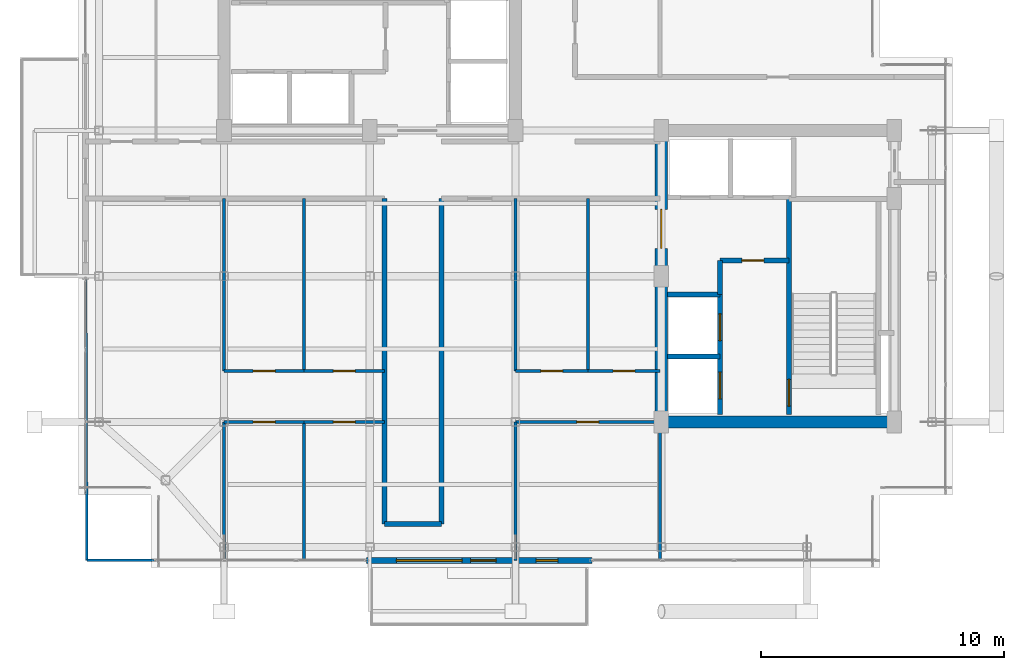
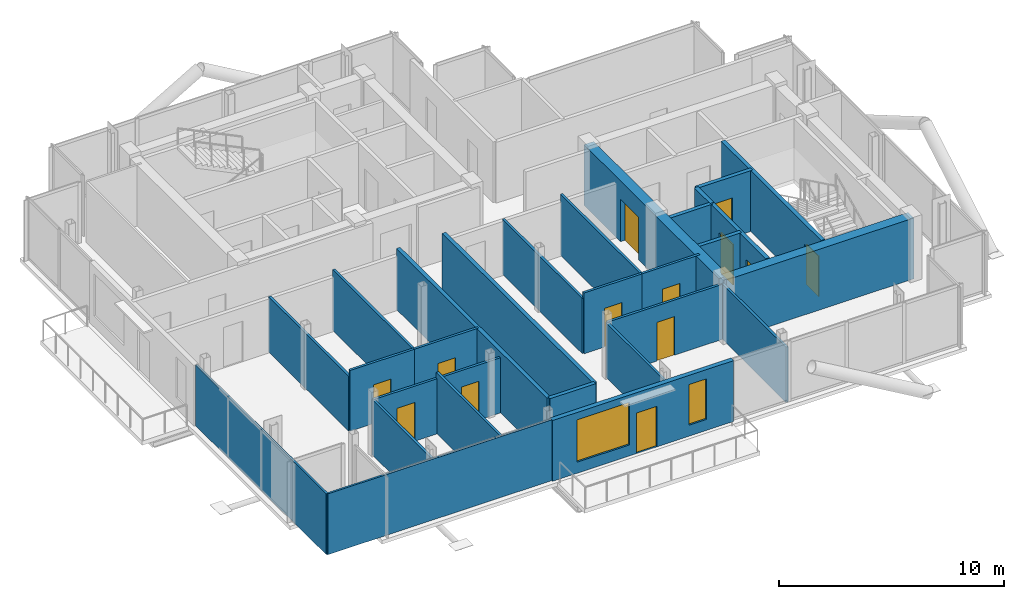
# One storey, part 14 of 18: 29 walls, 13 doors, 2 windows, 15 openings.
"""IFC4 building model written with IfcOpenShell, lengths in metres."""

from ifc_helpers import new_model, si_unit, direction, frame, frame_2d, origin, place, context, subcontext, project, spatial, rectangle, extrude, material, layer, layer_set, type_object, element, fill, save


model = new_model("IFC4")

# Units and contexts
model_context = context("Model", 3, precision=1e-05, world=origin(), true_north=direction((0.0, 1.0)))
body_context = subcontext(model_context, "Body", "Model", "MODEL_VIEW")
ifc_project = project(units=[si_unit("LENGTHUNIT", "METRE"), si_unit("AREAUNIT", "SQUARE_METRE"), si_unit("VOLUMEUNIT", "CUBIC_METRE"), si_unit("PLANEANGLEUNIT", "RADIAN"), si_unit("MASSUNIT", "GRAM", prefix="KILO"), si_unit("THERMODYNAMICTEMPERATUREUNIT", "KELVIN"), si_unit("POWERUNIT", "WATT")], contexts=[model_context])

# Site, building, storey
site_placement = place(None, origin())
site = spatial("IfcSite", under=ifc_project, at=site_placement, CompositionType="ELEMENT")
building_placement = place(site_placement, origin())
building = spatial("IfcBuilding", under=site, at=building_placement, Name="Svarakhadi Broadcast Tower", CompositionType="ELEMENT")
storey_placement = place(building_placement, frame((0.0, 0.0, 250.199951171875)))
storey = spatial("IfcBuildingStorey", under=building, at=storey_placement, Name="L62", CompositionType="ELEMENT", Elevation=250.199951171875)

# Wall, openings, door, windows
ifc_material_1 = material(Name="Concrete C40/50 (IS 456 M50)", Category="concrete")
ifc_layer_1 = layer(ifc_material_1, 0.239990234375)
ifc_layer_set_1 = layer_set([ifc_layer_1], Name="Concrete C40/50 (IS 456 M50)")
wall_type_1 = type_object("IfcWallType", Name="Wall_Ext_240", PredefinedType="SOLIDWALL", material=ifc_layer_set_1)
wall_1_placement = place(storey_placement, frame((21.14501953125, 0.300048828125, 0.0), z_axis=(0.0, 0.0, 1.0), x_axis=(-1.0, 0.0, 0.0)))
wall_1 = element("IfcWall", 1, at=wall_1_placement, inside=storey, type_object=wall_type_1, Name="L62 South Tree Balcony Spandrel Wall", PredefinedType="SOLIDWALL", context=body_context, shape_type="SweptSolid", body=[
    extrude(rectangle(XDim=9.2900390625, YDim=0.239990234375, at=frame_2d((4.64501953125, 0.0))), origin(), (0.0, 0.0, 1.0), 3.300048828125),
])
opening_1_placement = place(wall_1_placement, frame((3.945068359375, 0.0, 0.0)))
opening_1 = element("IfcOpeningElement", 2, at=opening_1_placement, cuts=wall_1, Name="Opening ED-06", PredefinedType="OPENING", context=body_context, shape_type="SweptSolid", body=[
    extrude(rectangle(XDim=1.050048828125, YDim=2.199951171875, at=frame_2d((0.52490234375, 1.10009765625))), frame((0.0, 0.1298828125, 0.0), z_axis=(0.0, -1.0, 0.0), x_axis=(1.0, 0.0, 0.0)), (0.0, 0.0, 1.0), 0.260009765625),
])
opening_2_placement = place(wall_1_placement, frame((5.344970703125, 0.0, 0.60009765625)))
opening_2 = element("IfcOpeningElement", 3, at=opening_2_placement, cuts=wall_1, Name="Opening WN-07", PredefinedType="OPENING", context=body_context, shape_type="SweptSolid", body=[
    extrude(rectangle(XDim=2.699951171875, YDim=2.300048828125, at=frame_2d((1.35009765625, 1.14990234375))), frame((0.0, 0.1298828125, 0.0), z_axis=(0.0, -1.0, 0.0), x_axis=(1.0, 0.0, 0.0)), (0.0, 0.0, 1.0), 0.260009765625),
])
opening_3_placement = place(wall_1_placement, frame((1.39990234375, 0.0, 0.60009765625)))
opening_3 = element("IfcOpeningElement", 4, at=opening_3_placement, cuts=wall_1, Name="Opening WN-04", PredefinedType="OPENING", context=body_context, shape_type="SweptSolid", body=[
    extrude(rectangle(XDim=0.89990234375, YDim=2.199951171875, at=frame_2d((0.449951171875, 1.10009765625))), frame((0.0, 0.1298828125, 0.0), z_axis=(0.0, -1.0, 0.0), x_axis=(1.0, 0.0, 0.0)), (0.0, 0.0, 1.0), 0.260009765625),
])
ifc_material_2 = material(Name="Anodised Bronze Aluminium AA 6063-T6", Category="aluminium")
door_type_1 = type_object("IfcDoorType", Name="Door_Ext_ED06", OperationType="SINGLE_SWING_RIGHT", PredefinedType="DOOR", material=ifc_material_2)
door_1_placement = place(opening_1_placement, origin())
door_1 = element("IfcDoor", 5, at=door_1_placement, inside=storey, type_object=door_type_1, Name="L62 South Tree Balcony Door", OperationType="SINGLE_SWING_RIGHT", OverallHeight=2.199951171875, OverallWidth=1.050048828125, PredefinedType="DOOR", context=body_context, shape_type="SweptSolid", body=[
    extrude(rectangle(XDim=1.050048828125, YDim=2.199951171875, at=frame_2d((0.52490234375, 1.10009765625))), frame((0.0, 0.02490234375, 0.0), z_axis=(0.0, -1.0, 0.0), x_axis=(1.0, 0.0, 0.0)), (0.0, 0.0, 1.0), 0.050048828125),
])
fill(opening_1, door_1)
ifc_material_3 = material(Name="Double Low-E Laminated Acoustic Glass IGU 36 mm", Category="glass")
window_type_1 = type_object("IfcWindowType", Name="Win_Resi_WN07", PartitioningType="SINGLE_PANEL", PredefinedType="WINDOW", material=ifc_material_3)
window_1_placement = place(opening_2_placement, origin())
window_1 = element("IfcWindow", 6, at=window_1_placement, inside=storey, type_object=window_type_1, Name="L62 South Tree Balcony Window", OverallHeight=2.300048828125, OverallWidth=2.699951171875, PartitioningType="SINGLE_PANEL", PredefinedType="WINDOW", context=body_context, shape_type="SweptSolid", body=[
    extrude(rectangle(XDim=2.699951171875, YDim=2.300048828125, at=frame_2d((1.35009765625, 1.14990234375))), frame((0.0, 0.030029296875, 0.0), z_axis=(0.0, -1.0, 0.0), x_axis=(1.0, 0.0, 0.0)), (0.0, 0.0, 1.0), 0.06005859375),
])
fill(opening_2, window_1)
window_type_2 = type_object("IfcWindowType", Name="Win_Slot_WN04", PartitioningType="SINGLE_PANEL", PredefinedType="WINDOW", material=ifc_material_3)
window_2_placement = place(opening_3_placement, origin())
window_2 = element("IfcWindow", 7, at=window_2_placement, inside=storey, type_object=window_type_2, Name="L62 South Primary Bedroom Slot Window", OverallHeight=2.199951171875, OverallWidth=0.89990234375, PartitioningType="SINGLE_PANEL", PredefinedType="WINDOW", context=body_context, shape_type="SweptSolid", body=[
    extrude(rectangle(XDim=0.89990234375, YDim=2.199951171875, at=frame_2d((0.449951171875, 1.10009765625))), frame((0.0, 0.030029296875, 0.0), z_axis=(0.0, -1.0, 0.0), x_axis=(1.0, 0.0, 0.0)), (0.0, 0.0, 1.0), 0.06005859375),
])
fill(opening_3, window_2)

# Walls
ifc_layer_2 = layer(ifc_material_1, 0.199951171875)
ifc_layer_set_2 = layer_set([ifc_layer_2], Name="Concrete C40/50 (IS 456 M50)")
wall_type_2 = type_object("IfcWallType", Name="Wall_Fire_200", PredefinedType="SOLIDWALL", material=ifc_layer_set_2)
for number, where, z_axis, x_axis, name in (
    (8, (12.60009765625, 1.800048828125, 0.0), (0.0, 0.0, 1.0), (0.0, 1.0, 0.0), "L62 Upper Tower Concourse Wall"),
    (9, (14.949951171875, 15.199951171875, 0.0), (0.0, 0.0, 1.0), (0.0, -1.0, 0.0), "L62 Upper Tower Concourse Wall"),
):
    element("IfcWall", number, at=place(storey_placement, frame(where, z_axis=z_axis, x_axis=x_axis)), inside=storey, type_object=wall_type_2, Name=name, PredefinedType="SOLIDWALL", context=body_context, shape_type="SweptSolid", body=[
        extrude(rectangle(XDim=13.39990234375, YDim=0.199951171875, at=frame_2d((6.699951171875, 0.0))), origin(), (0.0, 0.0, 1.0), 3.300048828125),
    ])
wall_2_placement = place(storey_placement, frame((14.949951171875, 1.800048828125, 0.0), z_axis=(0.0, 0.0, 1.0), x_axis=(-1.0, 0.0, 0.0)))
element("IfcWall", 10, at=wall_2_placement, inside=storey, type_object=wall_type_2, Name="L62 Upper Tower Concourse Wall", PredefinedType="SOLIDWALL", context=body_context, shape_type="SweptSolid", body=[
    extrude(rectangle(XDim=2.349853515625, YDim=0.199951171875, at=frame_2d((1.1748046875, 0.0))), origin(), (0.0, 0.0, 1.0), 3.300048828125),
])
ifc_material_4 = material(Name="Fire-Rated Moisture-Resistant Gypsum Board Partition", Category="gypsum")
ifc_layer_3 = layer(ifc_material_4, 0.10009765625)
ifc_layer_set_3 = layer_set([ifc_layer_3], Name="Fire-Rated Moisture-Resistant Gypsum Board Partition")
wall_type_3 = type_object("IfcWallType", Name="Wall_Part_100", PredefinedType="PARTITIONING", material=ifc_layer_set_3)
wall_3_placement = place(storey_placement, frame((0.35009765625, 0.300048828125, 0.0), z_axis=(0.0, 0.0, 1.0), x_axis=(1.0, 0.0, 0.0)))
element("IfcWall", 11, at=wall_3_placement, inside=storey, type_object=wall_type_3, Name="L62 Apartment A Wall", PredefinedType="PARTITIONING", context=body_context, shape_type="SweptSolid", body=[
    extrude(rectangle(XDim=11.5048828125, YDim=0.10009765625, at=frame_2d((5.75244140625, 0.0))), origin(), (0.0, 0.0, 1.0), 3.300048828125),
])
wall_4_placement = place(storey_placement, frame((0.35009765625, 0.300048828125, 0.0), z_axis=(0.0, 0.0, 1.0), x_axis=(-0.003359443529, 0.999994357054, 0.0)))
element("IfcWall", 12, at=wall_4_placement, inside=storey, type_object=wall_type_3, Name="L62 Apartment A Wall", PredefinedType="PARTITIONING", context=body_context, shape_type="SweptSolid", body=[
    extrude(rectangle(XDim=11.554931640625, YDim=0.10009765625, at=frame_2d((5.77734375, 0.0))), origin(), (0.0, 0.0, 1.0), 3.300048828125),
])

# Wall, opening, door
ifc_layer_4 = layer(ifc_material_4, 0.125)
ifc_layer_set_4 = layer_set([ifc_layer_4], Name="Fire-Rated Moisture-Resistant Gypsum Board Partition")
wall_type_4 = type_object("IfcWallType", Name="Wall_Part_125", PredefinedType="PARTITIONING", material=ifc_layer_set_4)
wall_5_placement = place(storey_placement, frame((6.0, 8.10009765625, 0.0), z_axis=(0.0, 0.0, 1.0), x_axis=(1.0, 0.0, 0.0)))
wall_5 = element("IfcWall", 13, at=wall_5_placement, inside=storey, type_object=wall_type_4, Name="L62 Apartment A Kitchen Wall", PredefinedType="PARTITIONING", context=body_context, shape_type="SweptSolid", body=[
    extrude(rectangle(XDim=3.300048828125, YDim=0.125, at=frame_2d((1.64990234375, 0.0))), origin(), (0.0, 0.0, 1.0), 3.300048828125),
])
opening_4_placement = place(wall_5_placement, frame((1.199951171875, 0.0, 0.0)))
opening_4 = element("IfcOpeningElement", 14, at=opening_4_placement, cuts=wall_5, Name="Opening D-14", PredefinedType="OPENING", context=body_context, shape_type="SweptSolid", body=[
    extrude(rectangle(XDim=0.89990234375, YDim=2.10009765625, at=frame_2d((0.449951171875, 1.050048828125))), frame((0.0, 0.072509765625, 0.0), z_axis=(0.0, -1.0, 0.0), x_axis=(1.0, 0.0, 0.0)), (0.0, 0.0, 1.0), 0.14501953125),
])
ifc_material_5 = material(Name="Solid-Core Teak Veneer Acoustic Timber Leaf", Category="wood")
door_type_2 = type_object("IfcDoorType", Name="Door_Int_D14", OperationType="SINGLE_SWING_LEFT", PredefinedType="DOOR", material=ifc_material_5)
door_2_placement = place(opening_4_placement, origin())
door_2 = element("IfcDoor", 15, at=door_2_placement, inside=storey, type_object=door_type_2, Name="L62 Apartment A Kitchen Door", OperationType="SINGLE_SWING_LEFT", OverallHeight=2.10009765625, OverallWidth=0.89990234375, PredefinedType="DOOR", context=body_context, shape_type="SweptSolid", body=[
    extrude(rectangle(XDim=0.89990234375, YDim=2.10009765625, at=frame_2d((0.449951171875, 1.050048828125))), frame((0.0, 0.02490234375, 0.0), z_axis=(0.0, -1.0, 0.0), x_axis=(1.0, 0.0, 0.0)), (0.0, 0.0, 1.0), 0.050048828125),
])
fill(opening_4, door_2)

# Walls
wall_6_placement = place(storey_placement, frame((6.0, 8.10009765625, 0.0), z_axis=(0.0, 0.0, 1.0), x_axis=(0.0, 1.0, 0.0)))
element("IfcWall", 16, at=wall_6_placement, inside=storey, type_object=wall_type_4, Name="L62 Apartment A Kitchen Wall", PredefinedType="PARTITIONING", context=body_context, shape_type="SweptSolid", body=[
    extrude(rectangle(XDim=7.099853515625, YDim=0.125, at=frame_2d((3.5498046875, 0.0))), origin(), (0.0, 0.0, 1.0), 2.991943359375),
])
wall_7_placement = place(storey_placement, frame((9.300048828125, 8.10009765625, 0.0), z_axis=(0.0, 0.0, 1.0), x_axis=(0.0, 1.0, 0.0)))
element("IfcWall", 17, at=wall_7_placement, inside=storey, type_object=wall_type_4, Name="L62 Apartment A Kitchen Wall", PredefinedType="PARTITIONING", context=body_context, shape_type="SweptSolid", body=[
    extrude(rectangle(XDim=7.099853515625, YDim=0.125, at=frame_2d((3.5498046875, 0.0))), origin(), (0.0, 0.0, 1.0), 3.300048828125),
])

# Wall, opening, door
wall_8_placement = place(storey_placement, frame((9.300048828125, 8.10009765625, 0.0), z_axis=(0.0, 0.0, 1.0), x_axis=(1.0, 0.0, 0.0)))
wall_8 = element("IfcWall", 18, at=wall_8_placement, inside=storey, type_object=wall_type_4, Name="L62 Apartment A Bathroom Wall", PredefinedType="PARTITIONING", context=body_context, shape_type="SweptSolid", body=[
    extrude(rectangle(XDim=3.300048828125, YDim=0.125, at=frame_2d((1.64990234375, 0.0))), origin(), (0.0, 0.0, 1.0), 3.300048828125),
])
opening_5_placement = place(wall_8_placement, frame((1.199951171875, 0.0, 0.0)))
opening_5 = element("IfcOpeningElement", 19, at=opening_5_placement, cuts=wall_8, Name="Opening D-13", PredefinedType="OPENING", context=body_context, shape_type="SweptSolid", body=[
    extrude(rectangle(XDim=0.89990234375, YDim=2.10009765625, at=frame_2d((0.449951171875, 1.050048828125))), frame((0.0, 0.072509765625, 0.0), z_axis=(0.0, -1.0, 0.0), x_axis=(1.0, 0.0, 0.0)), (0.0, 0.0, 1.0), 0.14501953125),
])
door_type_3 = type_object("IfcDoorType", Name="Door_Closet_D13", OperationType="SINGLE_SWING_RIGHT", PredefinedType="DOOR", material=ifc_material_5)
door_3_placement = place(opening_5_placement, origin())
door_3 = element("IfcDoor", 20, at=door_3_placement, inside=storey, type_object=door_type_3, Name="L62 Apartment A Bathroom Door", OperationType="SINGLE_SWING_RIGHT", OverallHeight=2.10009765625, OverallWidth=0.89990234375, PredefinedType="DOOR", context=body_context, shape_type="SweptSolid", body=[
    extrude(rectangle(XDim=0.89990234375, YDim=2.10009765625, at=frame_2d((0.449951171875, 1.050048828125))), frame((0.0, 0.02490234375, 0.0), z_axis=(0.0, -1.0, 0.0), x_axis=(1.0, 0.0, 0.0)), (0.0, 0.0, 1.0), 0.050048828125),
])
fill(opening_5, door_3)

wall_9_placement = place(storey_placement, frame((6.0, 6.0, 0.0), z_axis=(0.0, 0.0, 1.0), x_axis=(1.0, 0.0, 0.0)))
wall_9 = element("IfcWall", 21, at=wall_9_placement, inside=storey, type_object=wall_type_4, Name="L62 Apartment A Bedroom 1 Wall", PredefinedType="PARTITIONING", context=body_context, shape_type="SweptSolid", body=[
    extrude(rectangle(XDim=3.300048828125, YDim=0.125, at=frame_2d((1.64990234375, 0.0))), origin(), (0.0, 0.0, 1.0), 2.991943359375),
])
opening_6_placement = place(wall_9_placement, frame((1.199951171875, 0.0, 0.0)))
opening_6 = element("IfcOpeningElement", 22, at=opening_6_placement, cuts=wall_9, Name="Opening D-15", PredefinedType="OPENING", context=body_context, shape_type="SweptSolid", body=[
    extrude(rectangle(XDim=0.89990234375, YDim=2.10009765625, at=frame_2d((0.449951171875, 1.050048828125))), frame((0.0, 0.072509765625, 0.0), z_axis=(0.0, -1.0, 0.0), x_axis=(1.0, 0.0, 0.0)), (0.0, 0.0, 1.0), 0.14501953125),
])
door_type_4 = type_object("IfcDoorType", Name="Door_Int_D15", OperationType="SINGLE_SWING_RIGHT", PredefinedType="DOOR", material=ifc_material_5)
door_4_placement = place(opening_6_placement, origin())
door_4 = element("IfcDoor", 23, at=door_4_placement, inside=storey, type_object=door_type_4, Name="L62 Apartment A Bedroom 1 Door", OperationType="SINGLE_SWING_RIGHT", OverallHeight=2.10009765625, OverallWidth=0.89990234375, PredefinedType="DOOR", context=body_context, shape_type="SweptSolid", body=[
    extrude(rectangle(XDim=0.89990234375, YDim=2.10009765625, at=frame_2d((0.449951171875, 1.050048828125))), frame((0.0, 0.02490234375, 0.0), z_axis=(0.0, -1.0, 0.0), x_axis=(1.0, 0.0, 0.0)), (0.0, 0.0, 1.0), 0.050048828125),
])
fill(opening_6, door_4)

# Walls
wall_10_placement = place(storey_placement, frame((6.0, 0.300048828125, 0.0), z_axis=(0.0, 0.0, 1.0), x_axis=(0.0, 1.0, 0.0)))
element("IfcWall", 24, at=wall_10_placement, inside=storey, type_object=wall_type_4, Name="L62 Apartment A Bedroom 1 Wall", PredefinedType="PARTITIONING", context=body_context, shape_type="SweptSolid", body=[
    extrude(rectangle(XDim=5.699951171875, YDim=0.125, at=frame_2d((2.85009765625, 0.0))), origin(), (0.0, 0.0, 1.0), 2.991943359375),
])
wall_11_placement = place(storey_placement, frame((9.300048828125, 0.300048828125, 0.0), z_axis=(0.0, 0.0, 1.0), x_axis=(0.0, 1.0, 0.0)))
element("IfcWall", 25, at=wall_11_placement, inside=storey, type_object=wall_type_4, Name="L62 Apartment A Bedroom 1 Wall", PredefinedType="PARTITIONING", context=body_context, shape_type="SweptSolid", body=[
    extrude(rectangle(XDim=5.699951171875, YDim=0.125, at=frame_2d((2.85009765625, 0.0))), origin(), (0.0, 0.0, 1.0), 3.300048828125),
])

# Wall, opening, door
wall_12_placement = place(storey_placement, frame((9.300048828125, 6.0, 0.0), z_axis=(0.0, 0.0, 1.0), x_axis=(1.0, 0.0, 0.0)))
wall_12 = element("IfcWall", 26, at=wall_12_placement, inside=storey, type_object=wall_type_4, Name="L62 Apartment A Bedroom 2 Wall", PredefinedType="PARTITIONING", context=body_context, shape_type="SweptSolid", body=[
    extrude(rectangle(XDim=3.300048828125, YDim=0.125, at=frame_2d((1.64990234375, 0.0))), origin(), (0.0, 0.0, 1.0), 2.991943359375),
])
opening_7_placement = place(wall_12_placement, frame((1.199951171875, 0.0, 0.0)))
opening_7 = element("IfcOpeningElement", 27, at=opening_7_placement, cuts=wall_12, Name="Opening D-14", PredefinedType="OPENING", context=body_context, shape_type="SweptSolid", body=[
    extrude(rectangle(XDim=0.89990234375, YDim=2.10009765625, at=frame_2d((0.449951171875, 1.050048828125))), frame((0.0, 0.072509765625, 0.0), z_axis=(0.0, -1.0, 0.0), x_axis=(1.0, 0.0, 0.0)), (0.0, 0.0, 1.0), 0.14501953125),
])
door_5_placement = place(opening_7_placement, origin())
door_5 = element("IfcDoor", 28, at=door_5_placement, inside=storey, type_object=door_type_2, Name="L62 Apartment A Bedroom 2 Door", OperationType="SINGLE_SWING_LEFT", OverallHeight=2.10009765625, OverallWidth=0.89990234375, PredefinedType="DOOR", context=body_context, shape_type="SweptSolid", body=[
    extrude(rectangle(XDim=0.89990234375, YDim=2.10009765625, at=frame_2d((0.449951171875, 1.050048828125))), frame((0.0, 0.02490234375, 0.0), z_axis=(0.0, -1.0, 0.0), x_axis=(1.0, 0.0, 0.0)), (0.0, 0.0, 1.0), 0.050048828125),
])
fill(opening_7, door_5)

wall_13_placement = place(storey_placement, frame((18.0, 8.10009765625, 0.0), z_axis=(0.0, 0.0, 1.0), x_axis=(1.0, 0.0, 0.0)))
wall_13 = element("IfcWall", 29, at=wall_13_placement, inside=storey, type_object=wall_type_4, Name="L62 Apartment B Kitchen Wall", PredefinedType="PARTITIONING", context=body_context, shape_type="SweptSolid", body=[
    extrude(rectangle(XDim=2.97998046875, YDim=0.125, at=frame_2d((1.489990234375, 0.0))), origin(), (0.0, 0.0, 1.0), 3.300048828125),
])
opening_8_placement = place(wall_13_placement, frame((1.0400390625, 0.0, 0.0)))
opening_8 = element("IfcOpeningElement", 30, at=opening_8_placement, cuts=wall_13, Name="Opening D-14", PredefinedType="OPENING", context=body_context, shape_type="SweptSolid", body=[
    extrude(rectangle(XDim=0.89990234375, YDim=2.10009765625, at=frame_2d((0.449951171875, 1.050048828125))), frame((0.0, 0.072509765625, 0.0), z_axis=(0.0, -1.0, 0.0), x_axis=(1.0, 0.0, 0.0)), (0.0, 0.0, 1.0), 0.14501953125),
])
door_6_placement = place(opening_8_placement, origin())
door_6 = element("IfcDoor", 31, at=door_6_placement, inside=storey, type_object=door_type_2, Name="L62 Apartment B Kitchen Door", OperationType="SINGLE_SWING_LEFT", OverallHeight=2.10009765625, OverallWidth=0.89990234375, PredefinedType="DOOR", context=body_context, shape_type="SweptSolid", body=[
    extrude(rectangle(XDim=0.89990234375, YDim=2.10009765625, at=frame_2d((0.449951171875, 1.050048828125))), frame((0.0, 0.02490234375, 0.0), z_axis=(0.0, -1.0, 0.0), x_axis=(1.0, 0.0, 0.0)), (0.0, 0.0, 1.0), 0.050048828125),
])
fill(opening_8, door_6)

# Walls
wall_14_placement = place(storey_placement, frame((18.0, 8.10009765625, 0.0), z_axis=(0.0, 0.0, 1.0), x_axis=(0.0, 1.0, 0.0)))
element("IfcWall", 32, at=wall_14_placement, inside=storey, type_object=wall_type_4, Name="L62 Apartment B Kitchen Wall", PredefinedType="PARTITIONING", context=body_context, shape_type="SweptSolid", body=[
    extrude(rectangle(XDim=7.099853515625, YDim=0.125, at=frame_2d((3.5498046875, 0.0))), origin(), (0.0, 0.0, 1.0), 2.991943359375),
])
wall_15_placement = place(storey_placement, frame((20.97998046875, 8.10009765625, 0.0), z_axis=(0.0, 0.0, 1.0), x_axis=(0.0, 1.0, 0.0)))
element("IfcWall", 33, at=wall_15_placement, inside=storey, type_object=wall_type_4, Name="L62 Apartment B Kitchen Wall", PredefinedType="PARTITIONING", context=body_context, shape_type="SweptSolid", body=[
    extrude(rectangle(XDim=7.099853515625, YDim=0.125, at=frame_2d((3.5498046875, 0.0))), origin(), (0.0, 0.0, 1.0), 3.300048828125),
])

# Wall, opening, door
wall_16_placement = place(storey_placement, frame((20.97998046875, 8.10009765625, 0.0), z_axis=(0.0, 0.0, 1.0), x_axis=(1.0, 0.0, 0.0)))
wall_16 = element("IfcWall", 34, at=wall_16_placement, inside=storey, type_object=wall_type_4, Name="L62 Apartment B Bathroom Wall", PredefinedType="PARTITIONING", context=body_context, shape_type="SweptSolid", body=[
    extrude(rectangle(XDim=2.969970703125, YDim=0.125, at=frame_2d((1.48486328125, 0.0))), origin(), (0.0, 0.0, 1.0), 3.300048828125),
])
opening_9_placement = place(wall_16_placement, frame((1.034912109375, 0.0, 0.0)))
opening_9 = element("IfcOpeningElement", 35, at=opening_9_placement, cuts=wall_16, Name="Opening D-13", PredefinedType="OPENING", context=body_context, shape_type="SweptSolid", body=[
    extrude(rectangle(XDim=0.89990234375, YDim=2.10009765625, at=frame_2d((0.449951171875, 1.050048828125))), frame((0.0, 0.072509765625, 0.0), z_axis=(0.0, -1.0, 0.0), x_axis=(1.0, 0.0, 0.0)), (0.0, 0.0, 1.0), 0.14501953125),
])
door_7_placement = place(opening_9_placement, origin())
door_7 = element("IfcDoor", 36, at=door_7_placement, inside=storey, type_object=door_type_3, Name="L62 Apartment B Bathroom Door", OperationType="SINGLE_SWING_RIGHT", OverallHeight=2.10009765625, OverallWidth=0.89990234375, PredefinedType="DOOR", context=body_context, shape_type="SweptSolid", body=[
    extrude(rectangle(XDim=0.89990234375, YDim=2.10009765625, at=frame_2d((0.449951171875, 1.050048828125))), frame((0.0, 0.02490234375, 0.0), z_axis=(0.0, -1.0, 0.0), x_axis=(1.0, 0.0, 0.0)), (0.0, 0.0, 1.0), 0.050048828125),
])
fill(opening_9, door_7)

wall_17_placement = place(storey_placement, frame((18.0, 6.0, 0.0), z_axis=(0.0, 0.0, 1.0), x_axis=(1.0, 0.0, 0.0)))
wall_17 = element("IfcWall", 37, at=wall_17_placement, inside=storey, type_object=wall_type_4, Name="L62 Apartment B Primary Bedroom Wall", PredefinedType="PARTITIONING", context=body_context, shape_type="SweptSolid", body=[
    extrude(rectangle(XDim=5.949951171875, YDim=0.125, at=frame_2d((2.97509765625, 0.0))), origin(), (0.0, 0.0, 1.0), 2.991943359375),
])
opening_10_placement = place(wall_17_placement, frame((2.52490234375, 0.0, 0.0)))
opening_10 = element("IfcOpeningElement", 38, at=opening_10_placement, cuts=wall_17, Name="Opening D-14", PredefinedType="OPENING", context=body_context, shape_type="SweptSolid", body=[
    extrude(rectangle(XDim=0.89990234375, YDim=2.10009765625, at=frame_2d((0.449951171875, 1.050048828125))), frame((0.0, 0.072509765625, 0.0), z_axis=(0.0, -1.0, 0.0), x_axis=(1.0, 0.0, 0.0)), (0.0, 0.0, 1.0), 0.14501953125),
])
door_8_placement = place(opening_10_placement, origin())
door_8 = element("IfcDoor", 39, at=door_8_placement, inside=storey, type_object=door_type_2, Name="L62 Apartment B Bedroom Door", OperationType="SINGLE_SWING_LEFT", OverallHeight=2.10009765625, OverallWidth=0.89990234375, PredefinedType="DOOR", context=body_context, shape_type="SweptSolid", body=[
    extrude(rectangle(XDim=0.89990234375, YDim=2.10009765625, at=frame_2d((0.449951171875, 1.050048828125))), frame((0.0, 0.02490234375, 0.0), z_axis=(0.0, -1.0, 0.0), x_axis=(1.0, 0.0, 0.0)), (0.0, 0.0, 1.0), 0.050048828125),
])
fill(opening_10, door_8)

# Walls
wall_18_placement = place(storey_placement, frame((18.0, 0.300048828125, 0.0), z_axis=(0.0, 0.0, 1.0), x_axis=(0.0, 1.0, 0.0)))
element("IfcWall", 40, at=wall_18_placement, inside=storey, type_object=wall_type_4, Name="L62 Apartment B Primary Bedroom Wall", PredefinedType="PARTITIONING", context=body_context, shape_type="SweptSolid", body=[
    extrude(rectangle(XDim=5.699951171875, YDim=0.125, at=frame_2d((2.85009765625, 0.0))), origin(), (0.0, 0.0, 1.0), 2.967041015625),
])
wall_19_placement = place(storey_placement, frame((23.949951171875, 0.300048828125, 0.0), z_axis=(0.0, 0.0, 1.0), x_axis=(0.0, 1.0, 0.0)))
element("IfcWall", 41, at=wall_19_placement, inside=storey, type_object=wall_type_4, Name="L62 Apartment B Primary Bedroom Wall", PredefinedType="PARTITIONING", context=body_context, shape_type="SweptSolid", body=[
    extrude(rectangle(XDim=5.699951171875, YDim=0.125, at=frame_2d((2.85009765625, 0.0))), origin(), (0.0, 0.0, 1.0), 2.991943359375),
])

# Wall, opening, door
ifc_material_6 = material(Name="Concrete C50/60 (IS 456 M60)", Category="concrete")
ifc_layer_5 = layer(ifc_material_6, 0.199951171875)
ifc_layer_set_5 = layer_set([ifc_layer_5], Name="Concrete C50/60 (IS 456 M60)")
wall_type_5 = type_object("IfcWallType", Name="Wall_Shear_200", PredefinedType="SHEAR", material=ifc_layer_set_5)
wall_20_placement = place(storey_placement, frame((29.260009765625, 6.300048828125, 0.0), z_axis=(0.0, 0.0, 1.0), x_axis=(0.0, 1.0, 0.0)))
wall_20 = element("IfcWall", 42, at=wall_20_placement, inside=storey, type_object=wall_type_5, Name="L62 Stair ST-02 West RC Shaft Wall", PredefinedType="SHEAR", context=body_context, shape_type="SweptSolid", body=[
    extrude(rectangle(XDim=8.8798828125, YDim=0.199951171875, at=frame_2d((4.43994140625, 0.0))), origin(), (0.0, 0.0, 1.0), 3.300048828125),
])
opening_11_placement = place(wall_20_placement, frame((0.35009765625, 0.0, 0.0)))
opening_11 = element("IfcOpeningElement", 43, at=opening_11_placement, cuts=wall_20, Name="Opening D-02", PredefinedType="OPENING", context=body_context, shape_type="SweptSolid", body=[
    extrude(rectangle(XDim=1.10009765625, YDim=2.199951171875, at=frame_2d((0.550048828125, 1.10009765625))), frame((0.0, 0.10986328125, 0.0), z_axis=(0.0, -1.0, 0.0), x_axis=(1.0, 0.0, 0.0)), (0.0, 0.0, 1.0), 0.219970703125),
])
ifc_material_7 = material(Name="Galvanised Powder-Coated Fire-Rated Steel Leaf", Category="steel")
door_type_5 = type_object("IfcDoorType", Name="Door_Stair_D02", OperationType="SINGLE_SWING_RIGHT", PredefinedType="DOOR", material=ifc_material_7)
door_9_placement = place(opening_11_placement, origin())
door_9 = element("IfcDoor", 44, at=door_9_placement, inside=storey, type_object=door_type_5, Name="L62 Protected Exit Stair ST-02 Fire Door", OperationType="SINGLE_SWING_RIGHT", OverallHeight=2.199951171875, OverallWidth=1.10009765625, PredefinedType="DOOR", context=body_context, shape_type="SweptSolid", body=[
    extrude(rectangle(XDim=1.10009765625, YDim=2.199951171875, at=frame_2d((0.550048828125, 1.10009765625))), frame((0.0, 0.02490234375, 0.0), z_axis=(0.0, -1.0, 0.0), x_axis=(1.0, 0.0, 0.0)), (0.0, 0.0, 1.0), 0.050048828125),
])
fill(opening_11, door_9)

# Wall, openings, doors
wall_21_placement = place(storey_placement, frame((26.419921875, 6.300048828125, 0.0), z_axis=(0.0, 0.0, 1.0), x_axis=(0.0, 1.0, 0.0)))
wall_21 = element("IfcWall", 45, at=wall_21_placement, inside=storey, type_object=wall_type_5, Name="L62 Firefighting Lift LF-03/04 Shaft Wall", PredefinedType="SHEAR", context=body_context, shape_type="SweptSolid", body=[
    extrude(rectangle(XDim=4.949951171875, YDim=0.199951171875, at=frame_2d((2.47509765625, 0.0))), origin(), (0.0, 0.0, 1.0), 3.300048828125),
])
opening_12_placement = place(wall_21_placement, frame((0.64990234375, 0.0, 0.0)))
opening_12 = element("IfcOpeningElement", 46, at=opening_12_placement, cuts=wall_21, Name="Opening LD-01", PredefinedType="OPENING", context=body_context, shape_type="SweptSolid", body=[
    extrude(rectangle(XDim=1.10009765625, YDim=2.199951171875, at=frame_2d((0.550048828125, 1.10009765625))), frame((0.0, 0.10986328125, 0.0), z_axis=(0.0, -1.0, 0.0), x_axis=(1.0, 0.0, 0.0)), (0.0, 0.0, 1.0), 0.219970703125),
])
opening_13_placement = place(wall_21_placement, frame((3.050048828125, 0.0, 0.0)))
opening_13 = element("IfcOpeningElement", 47, at=opening_13_placement, cuts=wall_21, Name="Opening LD-01", PredefinedType="OPENING", context=body_context, shape_type="SweptSolid", body=[
    extrude(rectangle(XDim=1.10009765625, YDim=2.199951171875, at=frame_2d((0.550048828125, 1.10009765625))), frame((0.0, 0.10986328125, 0.0), z_axis=(0.0, -1.0, 0.0), x_axis=(1.0, 0.0, 0.0)), (0.0, 0.0, 1.0), 0.219970703125),
])
door_type_6 = type_object("IfcDoorType", Name="Door_Lift_LD01", OperationType="SLIDING_TO_LEFT", PredefinedType="DOOR", material=ifc_material_7)
door_10_placement = place(opening_12_placement, origin())
door_10 = element("IfcDoor", 48, at=door_10_placement, inside=storey, type_object=door_type_6, Name="L62 Firefighting Lift LF-03 Landing Door", OperationType="SLIDING_TO_LEFT", OverallHeight=2.199951171875, OverallWidth=1.10009765625, PredefinedType="DOOR", context=body_context, shape_type="SweptSolid", body=[
    extrude(rectangle(XDim=1.10009765625, YDim=2.199951171875, at=frame_2d((0.550048828125, 1.10009765625))), frame((0.0, 0.02490234375, 0.0), z_axis=(0.0, -1.0, 0.0), x_axis=(1.0, 0.0, 0.0)), (0.0, 0.0, 1.0), 0.050048828125),
])
fill(opening_12, door_10)
door_11_placement = place(opening_13_placement, origin())
door_11 = element("IfcDoor", 49, at=door_11_placement, inside=storey, type_object=door_type_6, Name="L62 Firefighting Lift LF-04 Landing Door", OperationType="SLIDING_TO_LEFT", OverallHeight=2.199951171875, OverallWidth=1.10009765625, PredefinedType="DOOR", context=body_context, shape_type="SweptSolid", body=[
    extrude(rectangle(XDim=1.10009765625, YDim=2.199951171875, at=frame_2d((0.550048828125, 1.10009765625))), frame((0.0, 0.02490234375, 0.0), z_axis=(0.0, -1.0, 0.0), x_axis=(1.0, 0.0, 0.0)), (0.0, 0.0, 1.0), 0.050048828125),
])
fill(opening_13, door_11)

# Walls
for number, where, z_axis, x_axis, name in (
    (50, (24.25, 8.699951171875, 0.0), (0.0, 0.0, 1.0), (1.0, 0.0, 0.0), "L62 Firefighting Lift LF-03/04 Divider Wall"),
    (51, (24.25, 11.25, 0.0), (0.0, 0.0, 1.0), (1.0, 0.0, 0.0), "L62 Firefighting Lift LF-04 North Wall"),
):
    element("IfcWall", number, at=place(storey_placement, frame(where, z_axis=z_axis, x_axis=x_axis)), inside=storey, type_object=wall_type_5, Name=name, PredefinedType="SHEAR", context=body_context, shape_type="SweptSolid", body=[
        extrude(rectangle(XDim=2.169921875, YDim=0.199951171875, at=frame_2d((1.0849609375, 0.0))), origin(), (0.0, 0.0, 1.0), 3.300048828125),
    ])
wall_22_placement = place(storey_placement, frame((26.419921875, 11.25, 0.0), z_axis=(0.0, 0.0, 1.0), x_axis=(0.0, 1.0, 0.0)))
element("IfcWall", 52, at=wall_22_placement, inside=storey, type_object=wall_type_5, Name="L62 East Firefighting Lobby West Wall", PredefinedType="SHEAR", context=body_context, shape_type="SweptSolid", body=[
    extrude(rectangle(XDim=1.39990234375, YDim=0.199951171875, at=frame_2d((0.699951171875, 0.0))), origin(), (0.0, 0.0, 1.0), 3.300048828125),
])

# Wall, opening, door
wall_23_placement = place(storey_placement, frame((26.419921875, 12.64990234375, 0.0), z_axis=(0.0, 0.0, 1.0), x_axis=(1.0, 0.0, 0.0)))
wall_23 = element("IfcWall", 53, at=wall_23_placement, inside=storey, type_object=wall_type_5, Name="L62 East Firefighting Lobby North Wall", PredefinedType="SHEAR", context=body_context, shape_type="SweptSolid", body=[
    extrude(rectangle(XDim=2.840087890625, YDim=0.199951171875, at=frame_2d((1.419921875, 0.0))), origin(), (0.0, 0.0, 1.0), 3.300048828125),
])
opening_14_placement = place(wall_23_placement, frame((0.89990234375, 0.0, 0.0)))
opening_14 = element("IfcOpeningElement", 54, at=opening_14_placement, cuts=wall_23, Name="Opening D-04", PredefinedType="OPENING", context=body_context, shape_type="SweptSolid", body=[
    extrude(rectangle(XDim=0.89990234375, YDim=2.14990234375, at=frame_2d((0.449951171875, 1.074951171875))), frame((0.0, 0.10986328125, 0.0), z_axis=(0.0, -1.0, 0.0), x_axis=(1.0, 0.0, 0.0)), (0.0, 0.0, 1.0), 0.219970703125),
])
door_type_7 = type_object("IfcDoorType", Name="Door_Fire_D04", OperationType="SINGLE_SWING_RIGHT", PredefinedType="DOOR", material=ifc_material_7)
door_12_placement = place(opening_14_placement, origin())
door_12 = element("IfcDoor", 55, at=door_12_placement, inside=storey, type_object=door_type_7, Name="L62 East Firefighting Lobby Fire Door", OperationType="SINGLE_SWING_RIGHT", OverallHeight=2.14990234375, OverallWidth=0.89990234375, PredefinedType="DOOR", context=body_context, shape_type="SweptSolid", body=[
    extrude(rectangle(XDim=0.89990234375, YDim=2.14990234375, at=frame_2d((0.449951171875, 1.074951171875))), frame((0.0, 0.02490234375, 0.0), z_axis=(0.0, -1.0, 0.0), x_axis=(1.0, 0.0, 0.0)), (0.0, 0.0, 1.0), 0.050048828125),
])
fill(opening_14, door_12)

# Wall
ifc_layer_6 = layer(ifc_material_6, 0.5)
ifc_layer_set_6 = layer_set([ifc_layer_6], Name="Concrete C50/60 (IS 456 M60)")
wall_type_6 = type_object("IfcWallType", Name="Wall_Shear_500", PredefinedType="SHEAR", material=ifc_layer_set_6)
wall_24_placement = place(storey_placement, frame((24.0, 6.0, 0.0), z_axis=(0.0, 0.0, 1.0), x_axis=(1.0, 0.0, 0.0)))
element("IfcWall", 56, at=wall_24_placement, inside=storey, type_object=wall_type_6, Name="L62 East Core South Shear Wall", PredefinedType="SHEAR", context=body_context, shape_type="SweptSolid", body=[
    extrude(rectangle(XDim=9.60009765625, YDim=0.5, at=frame_2d((4.800048828125, 0.0))), origin(), (0.0, 0.0, 1.0), 3.300048828125),
])

# Wall, opening, door
wall_25_placement = place(storey_placement, frame((24.0, 6.0, 0.0), z_axis=(0.0, 0.0, 1.0), x_axis=(0.0, 1.0, 0.0)))
wall_25 = element("IfcWall", 57, at=wall_25_placement, inside=storey, type_object=wall_type_6, Name="L62 East Core West Shear Wall", PredefinedType="SHEAR", context=body_context, shape_type="SweptSolid", body=[
    extrude(rectangle(XDim=12.0, YDim=0.5, at=frame_2d((6.0, 0.0))), origin(), (0.0, 0.0, 1.0), 3.300048828125),
])
opening_15_placement = place(wall_25_placement, frame((7.14990234375, 0.0, 0.0)))
opening_15 = element("IfcOpeningElement", 58, at=opening_15_placement, cuts=wall_25, Name="Opening D-05", PredefinedType="OPENING", context=body_context, shape_type="SweptSolid", body=[
    extrude(rectangle(XDim=1.60009765625, YDim=2.300048828125, at=frame_2d((0.800048828125, 1.14990234375))), frame((0.0, 0.260009765625, 0.0), z_axis=(0.0, -1.0, 0.0), x_axis=(1.0, 0.0, 0.0)), (0.0, 0.0, 1.0), 0.52001953125),
])
door_type_8 = type_object("IfcDoorType", Name="Door_Lobby_D05", OperationType="DOUBLE_DOOR_SLIDING", PredefinedType="DOOR", material=ifc_material_2)
door_13_placement = place(opening_15_placement, origin())
door_13 = element("IfcDoor", 59, at=door_13_placement, inside=storey, type_object=door_type_8, Name="L62 East Core Passenger Lift Lobby Entrance Door", OperationType="DOUBLE_DOOR_SLIDING", OverallHeight=2.300048828125, OverallWidth=1.60009765625, PredefinedType="DOOR", context=body_context, shape_type="SweptSolid", body=[
    extrude(rectangle(XDim=1.60009765625, YDim=2.300048828125, at=frame_2d((0.800048828125, 1.14990234375))), frame((0.0, 0.02490234375, 0.0), z_axis=(0.0, -1.0, 0.0), x_axis=(1.0, 0.0, 0.0)), (0.0, 0.0, 1.0), 0.050048828125),
])
fill(opening_15, door_13)

save(model, "model.ifc")
